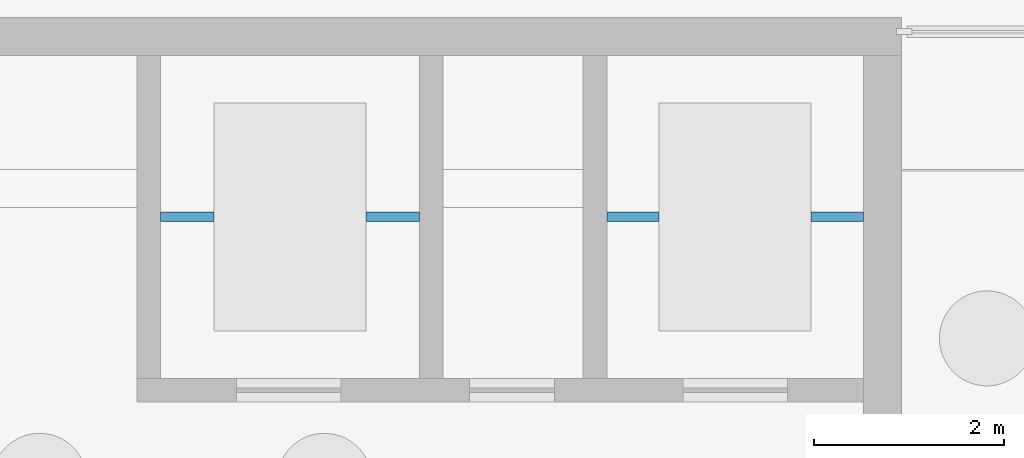
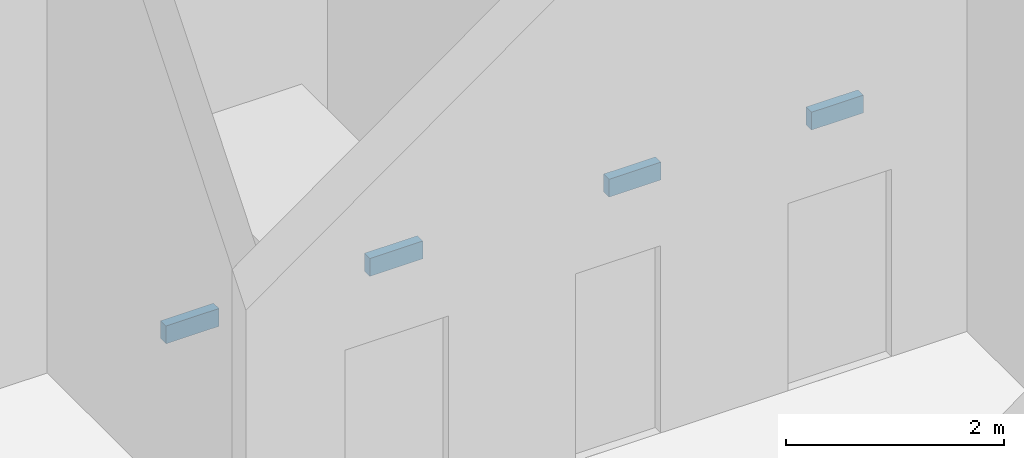
# One storey, part 85 of 108: 4 discrete accessories.
"""IFC4 building model written with IfcOpenShell, lengths in metres."""

from ifc_helpers import new_model, si_unit, direction, frame, origin, origin_2d, place, context, subcontext, project, spatial, rectangle, extrude, material, type_object, element, save


model = new_model("IFC4")

# Units and contexts
model_context = context("Model", 3, precision=1e-05, world=origin(), true_north=direction((0.0, 1.0)))
body_context = subcontext(model_context, "Body", "Model", "MODEL_VIEW")
ifc_project = project(units=[si_unit("LENGTHUNIT", "METRE"), si_unit("AREAUNIT", "SQUARE_METRE"), si_unit("VOLUMEUNIT", "CUBIC_METRE"), si_unit("PLANEANGLEUNIT", "RADIAN"), si_unit("MASSUNIT", "GRAM", prefix="KILO")], contexts=[model_context])

# Site, building, storey
site_placement = place(None, origin())
site = spatial("IfcSite", under=ifc_project, at=site_placement, CompositionType="ELEMENT")
building_placement = place(site_placement, origin())
building = spatial("IfcBuilding", under=site, at=building_placement, Name="Cresset Court Congress Hotel", CompositionType="ELEMENT")
storey_placement = place(building_placement, origin())
storey = spatial("IfcBuildingStorey", under=building, at=storey_placement, Name="L00", CompositionType="ELEMENT", Elevation=0.0)

# Discrete accessories
ifc_material = material(Name="Structural steel Q355B", Category="steel")
discrete_accessory_type = type_object("IfcDiscreteAccessoryType", Name="Lift guide bracket", PredefinedType="BRACKET", material=ifc_material)
for number, where, z_axis, x_axis, name in (
    (1, (135.28125, 107.10009765625, 1.2998046875), (0.0, 0.0, 1.0), (1.0, 0.0, 0.0), "Lift guide bracket"),
    (2, (137.44384765625, 107.10009765625, 1.2998046875), (0.0, 0.0, 1.0), (1.0, 0.0, 0.0), "Lift guide bracket"),
):
    element("IfcDiscreteAccessory", number, at=place(storey_placement, frame(where, z_axis=z_axis, x_axis=x_axis)), inside=storey, type_object=discrete_accessory_type, Name=name, PredefinedType="BRACKET", context=body_context, shape_type="SweptSolid", body=[
        extrude(rectangle(XDim=0.5625, YDim=0.10009765625, at=origin_2d()), origin(), (0.0, 0.0, 1.0), 0.199951171875),
    ])
for number, where, z_axis, x_axis, name in (
    (3, (139.97509765625, 107.10009765625, 1.2998046875), (0.0, 0.0, 1.0), (1.0, 0.0, 0.0), "Lift guide bracket"),
    (4, (142.125, 107.10009765625, 1.2998046875), (0.0, 0.0, 1.0), (1.0, 0.0, 0.0), "Lift guide bracket"),
):
    element("IfcDiscreteAccessory", number, at=place(storey_placement, frame(where, z_axis=z_axis, x_axis=x_axis)), inside=storey, type_object=discrete_accessory_type, Name=name, PredefinedType="BRACKET", context=body_context, shape_type="SweptSolid", body=[
        extrude(rectangle(XDim=0.550048828125, YDim=0.10009765625, at=origin_2d()), origin(), (0.0, 0.0, 1.0), 0.199951171875),
    ])

save(model, "model.ifc")
